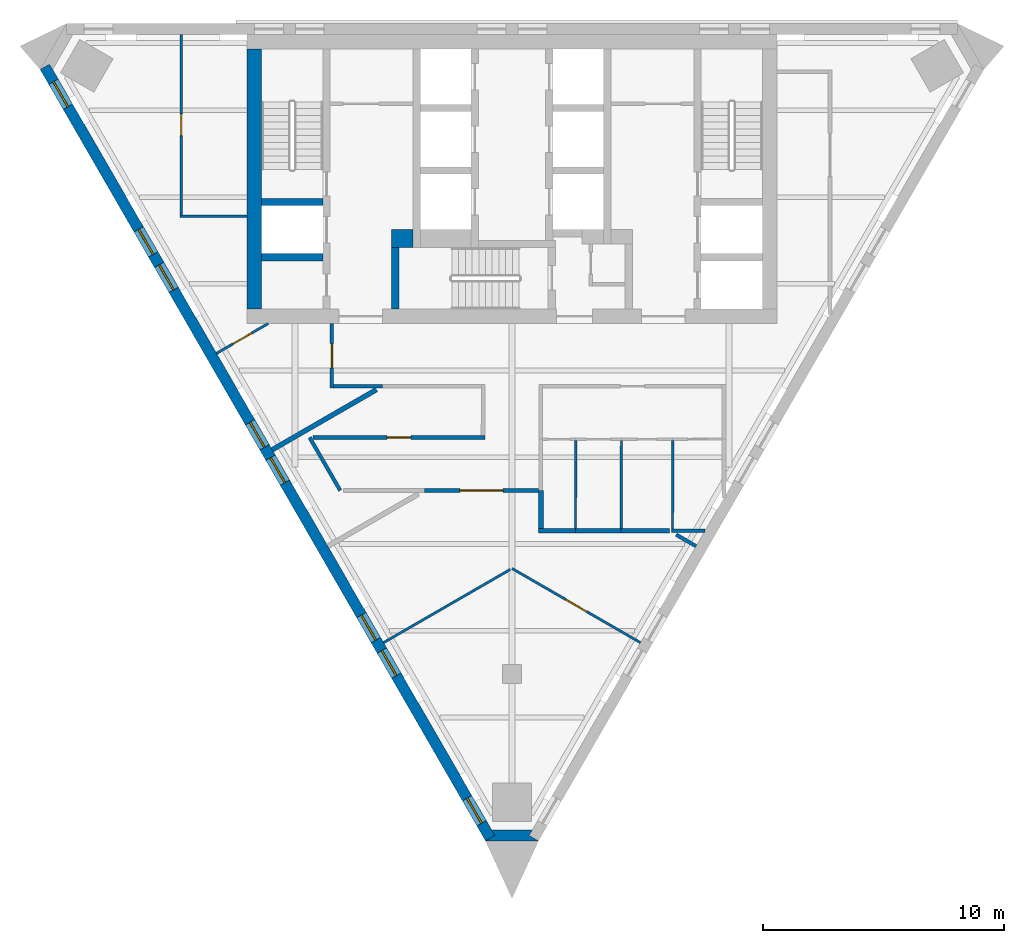
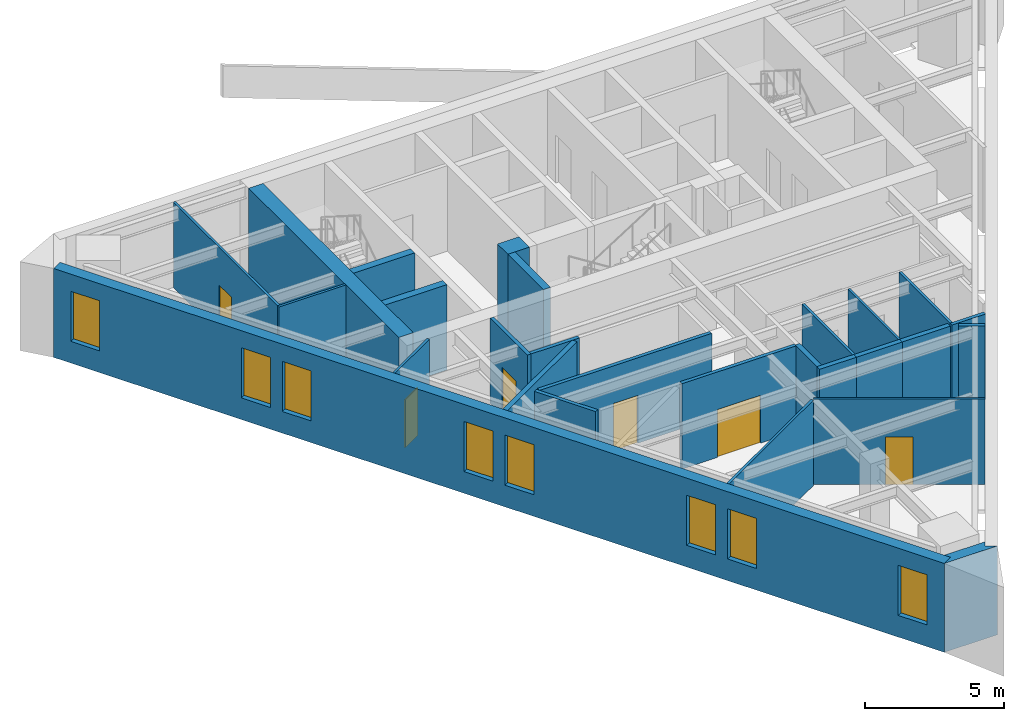
# One storey, part 2 of 6: 27 walls, 8 windows, 6 doors, 14 openings.
"""IFC4 building model written with IfcOpenShell, lengths in metres."""

from ifc_helpers import new_model, si_unit, direction, frame, frame_2d, origin, place, context, subcontext, project, spatial, polyline, rectangle, outline, extrude, material, layer, layer_set, type_object, element, fill, save


model = new_model("IFC4")

# Units and contexts
model_context = context("Model", 3, precision=1e-05, world=origin(), true_north=direction((0.0, 1.0)))
body_context = subcontext(model_context, "Body", "Model", "MODEL_VIEW")
ifc_project = project(units=[si_unit("LENGTHUNIT", "METRE"), si_unit("AREAUNIT", "SQUARE_METRE"), si_unit("VOLUMEUNIT", "CUBIC_METRE"), si_unit("PLANEANGLEUNIT", "RADIAN"), si_unit("MASSUNIT", "GRAM", prefix="KILO")], contexts=[model_context])

# Site, building, storey
site_placement = place(None, origin())
site = spatial("IfcSite", under=ifc_project, at=site_placement, CompositionType="ELEMENT")
building_placement = place(site_placement, origin())
building = spatial("IfcBuilding", under=site, at=building_placement, Name="Aloe Facet Convention Tower", CompositionType="ELEMENT")
storey_placement = place(building_placement, frame((0.0, 0.0, 242.60009765625)))
storey = spatial("IfcBuildingStorey", under=building, at=storey_placement, Name="L59", CompositionType="ELEMENT", Elevation=242.60009765625)

# Walls
ifc_material_1 = material(Name="Concrete C50/60", Category="concrete")
ifc_layer_1 = layer(ifc_material_1, 0.300048828125)
ifc_layer_set_1 = layer_set([ifc_layer_1], Name="CR-W-RC300-C5060")
wall_type_1 = type_object("IfcWallType", Name="CR-W-RC300-C5060", PredefinedType="SOLIDWALL", material=ifc_layer_set_1)
for number, where, z_axis, x_axis, name in (
    (1, (69.60009765625, 127.60009765625, 0.0), (0.0, 0.0, 1.0), (1.0, 0.0, 0.0), "Core wall L59-004"),
    (2, (69.60009765625, 125.300048828125, 0.0), (0.0, 0.0, 1.0), (1.0, 0.0, 0.0), "Core wall L59-005"),
):
    element("IfcWall", number, at=place(storey_placement, frame(where, z_axis=z_axis, x_axis=x_axis)), inside=storey, type_object=wall_type_1, Name=name, PredefinedType="SOLIDWALL", context=body_context, shape_type="SweptSolid", body=[
        extrude(rectangle(XDim=2.5498046875, YDim=0.300048828125, at=frame_2d((1.27490234375, 0.0))), origin(), (0.0, 0.0, 1.0), 3.75),
    ])
wall_1_placement = place(storey_placement, frame((75.14990234375, 125.699951171875, 0.0), z_axis=(0.0, 0.0, 1.0), x_axis=(0.0, -1.0, 0.0)))
element("IfcWall", 3, at=wall_1_placement, inside=storey, type_object=wall_type_1, Name="Core wall L59-009", PredefinedType="SOLIDWALL", context=body_context, shape_type="SweptSolid", body=[
    extrude(rectangle(XDim=2.550048828125, YDim=0.300048828125, at=frame_2d((1.27490234375, 0.0))), origin(), (0.0, 0.0, 1.0), 3.75),
])
ifc_material_2 = material(Name="Concrete C50/60", Category="concrete")
ifc_layer_2 = layer(ifc_material_2, 0.60009765625)
ifc_layer_set_2 = layer_set([ifc_layer_2], Name="CR-W-RC600-C5060")
wall_type_2 = type_object("IfcWallType", Name="CR-W-RC600-C5060", PredefinedType="SOLIDWALL", material=ifc_layer_set_2)
wall_2_placement = place(storey_placement, frame((69.300048828125, 133.949951171875, 0.0), z_axis=(0.0, 0.0, 1.0), x_axis=(0.0, -1.0, 0.0)))
element("IfcWall", 4, at=wall_2_placement, inside=storey, type_object=wall_type_2, Name="Core wall L59-002", PredefinedType="SOLIDWALL", context=body_context, shape_type="SweptSolid", body=[
    extrude(rectangle(XDim=10.800048828125, YDim=0.60009765625, at=frame_2d((5.39990234375, 0.0))), origin(), (0.0, 0.0, 1.0), 3.75),
])
ifc_material_3 = material(Name="Concrete C50/60", Category="concrete")
ifc_layer_3 = layer(ifc_material_3, 0.75)
ifc_layer_set_3 = layer_set([ifc_layer_3], Name="CR-W-RC750-C5060")
wall_type_3 = type_object("IfcWallType", Name="CR-W-RC750-C5060", PredefinedType="SOLIDWALL", material=ifc_layer_set_3)
wall_3_placement = place(storey_placement, frame((75.0, 126.074951171875, 0.0), z_axis=(0.0, 0.0, 1.0), x_axis=(1.0, 0.0, 0.0)))
element("IfcWall", 5, at=wall_3_placement, inside=storey, type_object=wall_type_3, Name="Core wall L59-008", PredefinedType="SOLIDWALL", context=body_context, shape_type="SweptSolid", body=[
    extrude(rectangle(XDim=0.89990234375, YDim=0.75, at=frame_2d((0.449951171875, 0.0))), origin(), (0.0, 0.0, 1.0), 3.75),
])
ifc_material_4 = material(Name="Precast concrete C40/50", Category="concrete")
ifc_layer_4 = layer(ifc_material_4, 0.449951171875)
ifc_layer_set_4 = layer_set([ifc_layer_4], Name="EV-WALL-PIER")
wall_type_4 = type_object("IfcWallType", Name="EV-WALL-PIER", PredefinedType="SOLIDWALL", material=ifc_layer_set_4)
wall_4_placement = place(storey_placement, frame((0.0, 0.0, -0.150146484375)))
element("IfcWall", 6, at=wall_4_placement, inside=storey, type_object=wall_type_4, Name="EP-L59-B", PredefinedType="SOLIDWALL", context=body_context, shape_type="SweptSolid", body=[
    extrude(outline(polyline([(78.89990234375, 101.07568359375), (79.289794921875, 101.30078125), (79.159912109375, 101.52587890625), (80.840087890625, 101.52587890625), (80.710205078125, 101.30078125), (81.10009765625, 101.07568359375), (78.89990234375, 101.07568359375)])), origin(), (0.0, 0.0, 1.0), 3.900146484375),
])

# Wall, openings, windows
ifc_material_5 = material(Name="Precast concrete C40/50", Category="concrete")
ifc_layer_5 = layer(ifc_material_5, 0.449951171875)
ifc_layer_set_5 = layer_set([ifc_layer_5], Name="EV-WALL-STONE")
wall_type_5 = type_object("IfcWallType", Name="EV-WALL-STONE", PredefinedType="SOLIDWALL", material=ifc_layer_set_5)
wall_5_placement = place(storey_placement, frame((60.608642578125, 133.207275390625, -0.150146484375), z_axis=(0.0, 0.0, 1.0), x_axis=(0.500002536638, -0.866023939251, 0.0)))
wall_5 = element("IfcWall", 7, at=wall_5_placement, inside=storey, type_object=wall_type_5, Name="EW-L59-W01", PredefinedType="SOLIDWALL", context=body_context, shape_type="SweptSolid", body=[
    extrude(outline(polyline([(36.972412109375, 0.0), (36.972412109375, 3.900146484375), (0.0, 3.900146484375), (0.0, 0.0), (36.972412109375, 0.0)])), frame((0.0, 0.22509765625, 0.0), z_axis=(0.0, -1.0, 0.0), x_axis=(1.0, 0.0, 0.0)), (0.0, 0.0, 1.0), 0.449951171875),
])
opening_1_placement = place(wall_5_placement, frame((0.714599609375, 0.0, 0.949951171875)))
opening_1 = element("IfcOpeningElement", 8, at=opening_1_placement, cuts=wall_5, Name="Opening W-L59-W01", PredefinedType="OPENING", context=body_context, shape_type="SweptSolid", body=[
    extrude(rectangle(XDim=1.199951171875, YDim=2.199951171875, at=frame_2d((0.60009765625, 1.10009765625))), frame((0.0, 0.23486328125, 0.0), z_axis=(0.0, -1.0, 0.0), x_axis=(1.0, 0.0, 0.0)), (0.0, 0.0, 1.0), 0.469970703125),
])
opening_2_placement = place(wall_5_placement, frame((7.79296875, 0.0, 0.949951171875)))
opening_2 = element("IfcOpeningElement", 9, at=opening_2_placement, cuts=wall_5, Name="Opening W-L59-W02", PredefinedType="OPENING", context=body_context, shape_type="SweptSolid", body=[
    extrude(rectangle(XDim=1.199951171875, YDim=2.199951171875, at=frame_2d((0.60009765625, 1.10009765625))), frame((0.0, 0.23486328125, 0.0), z_axis=(0.0, -1.0, 0.0), x_axis=(1.0, 0.0, 0.0)), (0.0, 0.0, 1.0), 0.469970703125),
])
opening_3_placement = place(wall_5_placement, frame((9.4931640625, 0.0, 0.949951171875)))
opening_3 = element("IfcOpeningElement", 10, at=opening_3_placement, cuts=wall_5, Name="Opening W-L59-W03", PredefinedType="OPENING", context=body_context, shape_type="SweptSolid", body=[
    extrude(rectangle(XDim=1.199951171875, YDim=2.199951171875, at=frame_2d((0.60009765625, 1.10009765625))), frame((0.0, 0.23486328125, 0.0), z_axis=(0.0, -1.0, 0.0), x_axis=(1.0, 0.0, 0.0)), (0.0, 0.0, 1.0), 0.469970703125),
])
opening_4_placement = place(wall_5_placement, frame((17.0361328125, 0.0, 0.949951171875)))
opening_4 = element("IfcOpeningElement", 11, at=opening_4_placement, cuts=wall_5, Name="Opening W-L59-W04", PredefinedType="OPENING", context=body_context, shape_type="SweptSolid", body=[
    extrude(rectangle(XDim=1.199951171875, YDim=2.199951171875, at=frame_2d((0.60009765625, 1.10009765625))), frame((0.0, 0.23486328125, 0.0), z_axis=(0.0, -1.0, 0.0), x_axis=(1.0, 0.0, 0.0)), (0.0, 0.0, 1.0), 0.469970703125),
])
opening_5_placement = place(wall_5_placement, frame((18.736083984375, 0.0, 0.949951171875)))
opening_5 = element("IfcOpeningElement", 12, at=opening_5_placement, cuts=wall_5, Name="Opening W-L59-W05", PredefinedType="OPENING", context=body_context, shape_type="SweptSolid", body=[
    extrude(rectangle(XDim=1.199951171875, YDim=2.199951171875, at=frame_2d((0.60009765625, 1.10009765625))), frame((0.0, 0.23486328125, 0.0), z_axis=(0.0, -1.0, 0.0), x_axis=(1.0, 0.0, 0.0)), (0.0, 0.0, 1.0), 0.469970703125),
])
opening_6_placement = place(wall_5_placement, frame((26.279296875, 0.0, 0.949951171875)))
opening_6 = element("IfcOpeningElement", 13, at=opening_6_placement, cuts=wall_5, Name="Opening W-L59-W06", PredefinedType="OPENING", context=body_context, shape_type="SweptSolid", body=[
    extrude(rectangle(XDim=1.199951171875, YDim=2.199951171875, at=frame_2d((0.60009765625, 1.10009765625))), frame((0.0, 0.23486328125, 0.0), z_axis=(0.0, -1.0, 0.0), x_axis=(1.0, 0.0, 0.0)), (0.0, 0.0, 1.0), 0.469970703125),
])
opening_7_placement = place(wall_5_placement, frame((27.979248046875, 0.0, 0.949951171875)))
opening_7 = element("IfcOpeningElement", 14, at=opening_7_placement, cuts=wall_5, Name="Opening W-L59-W07", PredefinedType="OPENING", context=body_context, shape_type="SweptSolid", body=[
    extrude(rectangle(XDim=1.199951171875, YDim=2.199951171875, at=frame_2d((0.60009765625, 1.10009765625))), frame((0.0, 0.23486328125, 0.0), z_axis=(0.0, -1.0, 0.0), x_axis=(1.0, 0.0, 0.0)), (0.0, 0.0, 1.0), 0.469970703125),
])
opening_8_placement = place(wall_5_placement, frame((35.0576171875, 0.0, 0.949951171875)))
opening_8 = element("IfcOpeningElement", 15, at=opening_8_placement, cuts=wall_5, Name="Opening W-L59-W08", PredefinedType="OPENING", context=body_context, shape_type="SweptSolid", body=[
    extrude(rectangle(XDim=1.199951171875, YDim=2.199951171875, at=frame_2d((0.60009765625, 1.10009765625))), frame((0.0, 0.23486328125, 0.0), z_axis=(0.0, -1.0, 0.0), x_axis=(1.0, 0.0, 0.0)), (0.0, 0.0, 1.0), 0.469970703125),
])
ifc_material_6 = material(Name="Aluminium frame, clear double glazing", Category="aluminium")
window_type = type_object("IfcWindowType", Name="EV-WIN-O12", PartitioningType="SINGLE_PANEL", PredefinedType="WINDOW", material=ifc_material_6)
window_1_placement = place(opening_1_placement, origin())
window_1 = element("IfcWindow", 16, at=window_1_placement, inside=storey, type_object=window_type, Name="W-L59-W01", OverallHeight=2.199951171875, OverallWidth=1.199951171875, PartitioningType="SINGLE_PANEL", PredefinedType="WINDOW", context=body_context, shape_type="SweptSolid", body=[
    extrude(rectangle(XDim=1.199951171875, YDim=2.199951171875, at=frame_2d((0.60009765625, 1.10009765625))), frame((0.0, 0.030029296875, 0.0), z_axis=(0.0, -1.0, 0.0), x_axis=(1.0, 0.0, 0.0)), (0.0, 0.0, 1.0), 0.06005859375),
])
fill(opening_1, window_1)
window_2_placement = place(opening_2_placement, origin())
window_2 = element("IfcWindow", 17, at=window_2_placement, inside=storey, type_object=window_type, Name="W-L59-W02", OverallHeight=2.199951171875, OverallWidth=1.199951171875, PartitioningType="SINGLE_PANEL", PredefinedType="WINDOW", context=body_context, shape_type="SweptSolid", body=[
    extrude(rectangle(XDim=1.199951171875, YDim=2.199951171875, at=frame_2d((0.60009765625, 1.10009765625))), frame((0.0, 0.030029296875, 0.0), z_axis=(0.0, -1.0, 0.0), x_axis=(1.0, 0.0, 0.0)), (0.0, 0.0, 1.0), 0.06005859375),
])
fill(opening_2, window_2)
window_3_placement = place(opening_3_placement, origin())
window_3 = element("IfcWindow", 18, at=window_3_placement, inside=storey, type_object=window_type, Name="W-L59-W03", OverallHeight=2.199951171875, OverallWidth=1.199951171875, PartitioningType="SINGLE_PANEL", PredefinedType="WINDOW", context=body_context, shape_type="SweptSolid", body=[
    extrude(rectangle(XDim=1.199951171875, YDim=2.199951171875, at=frame_2d((0.60009765625, 1.10009765625))), frame((0.0, 0.030029296875, 0.0), z_axis=(0.0, -1.0, 0.0), x_axis=(1.0, 0.0, 0.0)), (0.0, 0.0, 1.0), 0.06005859375),
])
fill(opening_3, window_3)
window_4_placement = place(opening_4_placement, origin())
window_4 = element("IfcWindow", 19, at=window_4_placement, inside=storey, type_object=window_type, Name="W-L59-W04", OverallHeight=2.199951171875, OverallWidth=1.199951171875, PartitioningType="SINGLE_PANEL", PredefinedType="WINDOW", context=body_context, shape_type="SweptSolid", body=[
    extrude(rectangle(XDim=1.199951171875, YDim=2.199951171875, at=frame_2d((0.60009765625, 1.10009765625))), frame((0.0, 0.030029296875, 0.0), z_axis=(0.0, -1.0, 0.0), x_axis=(1.0, 0.0, 0.0)), (0.0, 0.0, 1.0), 0.06005859375),
])
fill(opening_4, window_4)
window_5_placement = place(opening_5_placement, origin())
window_5 = element("IfcWindow", 20, at=window_5_placement, inside=storey, type_object=window_type, Name="W-L59-W05", OverallHeight=2.199951171875, OverallWidth=1.199951171875, PartitioningType="SINGLE_PANEL", PredefinedType="WINDOW", context=body_context, shape_type="SweptSolid", body=[
    extrude(rectangle(XDim=1.199951171875, YDim=2.199951171875, at=frame_2d((0.60009765625, 1.10009765625))), frame((0.0, 0.030029296875, 0.0), z_axis=(0.0, -1.0, 0.0), x_axis=(1.0, 0.0, 0.0)), (0.0, 0.0, 1.0), 0.06005859375),
])
fill(opening_5, window_5)
window_6_placement = place(opening_6_placement, origin())
window_6 = element("IfcWindow", 21, at=window_6_placement, inside=storey, type_object=window_type, Name="W-L59-W06", OverallHeight=2.199951171875, OverallWidth=1.199951171875, PartitioningType="SINGLE_PANEL", PredefinedType="WINDOW", context=body_context, shape_type="SweptSolid", body=[
    extrude(rectangle(XDim=1.199951171875, YDim=2.199951171875, at=frame_2d((0.60009765625, 1.10009765625))), frame((0.0, 0.030029296875, 0.0), z_axis=(0.0, -1.0, 0.0), x_axis=(1.0, 0.0, 0.0)), (0.0, 0.0, 1.0), 0.06005859375),
])
fill(opening_6, window_6)
window_7_placement = place(opening_7_placement, origin())
window_7 = element("IfcWindow", 22, at=window_7_placement, inside=storey, type_object=window_type, Name="W-L59-W07", OverallHeight=2.199951171875, OverallWidth=1.199951171875, PartitioningType="SINGLE_PANEL", PredefinedType="WINDOW", context=body_context, shape_type="SweptSolid", body=[
    extrude(rectangle(XDim=1.199951171875, YDim=2.199951171875, at=frame_2d((0.60009765625, 1.10009765625))), frame((0.0, 0.030029296875, 0.0), z_axis=(0.0, -1.0, 0.0), x_axis=(1.0, 0.0, 0.0)), (0.0, 0.0, 1.0), 0.06005859375),
])
fill(opening_7, window_7)
window_8_placement = place(opening_8_placement, origin())
window_8 = element("IfcWindow", 23, at=window_8_placement, inside=storey, type_object=window_type, Name="W-L59-W08", OverallHeight=2.199951171875, OverallWidth=1.199951171875, PartitioningType="SINGLE_PANEL", PredefinedType="WINDOW", context=body_context, shape_type="SweptSolid", body=[
    extrude(rectangle(XDim=1.199951171875, YDim=2.199951171875, at=frame_2d((0.60009765625, 1.10009765625))), frame((0.0, 0.030029296875, 0.0), z_axis=(0.0, -1.0, 0.0), x_axis=(1.0, 0.0, 0.0)), (0.0, 0.0, 1.0), 0.06005859375),
])
fill(opening_8, window_8)

# Walls
ifc_material_7 = material(Name="Gypsum board partition on steel studs", Category="steel")
ifc_layer_6 = layer(ifc_material_7, 0.14990234375)
ifc_layer_set_6 = layer_set([ifc_layer_6], Name="IN-W-CORR")
wall_type_6 = type_object("IfcWallType", Name="IN-W-CORR", PredefinedType="PARTITIONING", material=ifc_layer_set_6)
wall_6_placement = place(storey_placement, frame((86.816162109375, 113.78515625, 0.0), z_axis=(0.0, 0.0, 1.0), x_axis=(0.865951249342, -0.500128417272, 0.0)))
element("IfcWall", 24, at=wall_6_placement, inside=storey, type_object=wall_type_6, Name="Partition L59-W007", PredefinedType="PARTITIONING", context=body_context, shape_type="SweptSolid", body=[
    extrude(rectangle(XDim=0.954345703125, YDim=0.14990234375, at=frame_2d((0.47705078125, 0.0))), origin(), (0.0, 0.0, 1.0), 3.75),
])
wall_7_placement = place(storey_placement, frame((86.612060546875, 113.949951171875, 0.0), z_axis=(0.0, 0.0, 1.0), x_axis=(1.0, 0.0, 0.0)))
element("IfcWall", 25, at=wall_7_placement, inside=storey, type_object=wall_type_6, Name="Partition L59-W009", PredefinedType="PARTITIONING", context=body_context, shape_type="SweptSolid", body=[
    extrude(rectangle(XDim=1.400146484375, YDim=0.14990234375, at=frame_2d((0.7001953125, 0.0))), origin(), (0.0, 0.0, 1.0), 3.75),
])
wall_8_placement = place(storey_placement, frame((71.599609375, 117.8203125, 0.0), z_axis=(0.0, 0.0, 1.0), x_axis=(0.500035802948, -0.866004731956, 0.0)))
element("IfcWall", 26, at=wall_8_placement, inside=storey, type_object=wall_type_6, Name="Partition L59-W011", PredefinedType="PARTITIONING", context=body_context, shape_type="SweptSolid", body=[
    extrude(rectangle(XDim=2.540283203125, YDim=0.14990234375, at=frame_2d((1.27001953125, 0.0))), origin(), (0.0, 0.0, 1.0), 3.75),
])

# Wall, opening, door
wall_9_placement = place(storey_placement, frame((76.36279296875, 115.620361328125, 0.0), z_axis=(0.0, 0.0, 1.0), x_axis=(1.0, 0.0, 0.0)))
wall_9 = element("IfcWall", 27, at=wall_9_placement, inside=storey, type_object=wall_type_6, Name="Partition L59-W012", PredefinedType="PARTITIONING", context=body_context, shape_type="SweptSolid", body=[
    extrude(rectangle(XDim=4.7373046875, YDim=0.14990234375, at=frame_2d((2.36865234375, 0.0))), origin(), (0.0, 0.0, 1.0), 3.75),
])
opening_9_placement = place(wall_9_placement, frame((1.46875, 0.0, 0.0)))
opening_9 = element("IfcOpeningElement", 28, at=opening_9_placement, cuts=wall_9, Name="Opening L59-012", PredefinedType="OPENING", context=body_context, shape_type="SweptSolid", body=[
    extrude(rectangle(XDim=1.800048828125, YDim=2.10009765625, at=frame_2d((0.89990234375, 1.050048828125))), frame((0.0, 0.0849609375, 0.0), z_axis=(0.0, -1.0, 0.0), x_axis=(1.0, 0.0, 0.0)), (0.0, 0.0, 1.0), 0.169921875),
])
ifc_material_8 = material(Name="Glazed timber door pair FD30S", Category="wood")
door_type_1 = type_object("IfcDoorType", Name="IN-OFF-D-SUITE", OperationType="DOUBLE_DOOR_SINGLE_SWING", PredefinedType="DOOR", material=ifc_material_8)
door_1_placement = place(opening_9_placement, origin())
door_1 = element("IfcDoor", 29, at=door_1_placement, inside=storey, type_object=door_type_1, Name="Door L59-012", OperationType="SINGLE_SWING_LEFT", OverallHeight=2.10009765625, OverallWidth=1.800048828125, PredefinedType="DOOR", context=body_context, shape_type="SweptSolid", body=[
    extrude(rectangle(XDim=1.800048828125, YDim=2.10009765625, at=frame_2d((0.89990234375, 1.050048828125))), frame((0.0, 0.02490234375, 0.0), z_axis=(0.0, -1.0, 0.0), x_axis=(1.0, 0.0, 0.0)), (0.0, 0.0, 1.0), 0.050048828125),
])
fill(opening_9, door_1)

wall_10_placement = place(storey_placement, frame((71.7294921875, 117.8203125, 0.0), z_axis=(0.0, 0.0, 1.0), x_axis=(1.0, 0.0, 0.0)))
wall_10 = element("IfcWall", 30, at=wall_10_placement, inside=storey, type_object=wall_type_6, Name="Partition L59-W025", PredefinedType="PARTITIONING", context=body_context, shape_type="SweptSolid", body=[
    extrude(rectangle(XDim=7.1435546875, YDim=0.14990234375, at=frame_2d((3.57177734375, 0.0))), origin(), (0.0, 0.0, 1.0), 3.75),
])
opening_10_placement = place(wall_10_placement, frame((3.07177734375, 0.0, 0.0)))
opening_10 = element("IfcOpeningElement", 31, at=opening_10_placement, cuts=wall_10, Name="Opening L59-009", PredefinedType="OPENING", context=body_context, shape_type="SweptSolid", body=[
    extrude(rectangle(XDim=1.0, YDim=2.10009765625, at=frame_2d((0.5, 1.050048828125))), frame((0.0, 0.0849609375, 0.0), z_axis=(0.0, -1.0, 0.0), x_axis=(1.0, 0.0, 0.0)), (0.0, 0.0, 1.0), 0.169921875),
])
ifc_material_9 = material(Name="Timber door FD30S with vision panel", Category="wood")
door_type_2 = type_object("IfcDoorType", Name="IN-OFF-D-ENTRY", OperationType="SINGLE_SWING_LEFT", PredefinedType="DOOR", material=ifc_material_9)
door_2_placement = place(opening_10_placement, origin())
door_2 = element("IfcDoor", 32, at=door_2_placement, inside=storey, type_object=door_type_2, Name="Door L59-009", OperationType="SINGLE_SWING_LEFT", OverallHeight=2.10009765625, OverallWidth=1.0, PredefinedType="DOOR", context=body_context, shape_type="SweptSolid", body=[
    extrude(rectangle(XDim=1.0, YDim=2.10009765625, at=frame_2d((0.5, 1.050048828125))), frame((0.0, 0.02490234375, 0.0), z_axis=(0.0, -1.0, 0.0), x_axis=(1.0, 0.0, 0.0)), (0.0, 0.0, 1.0), 0.050048828125),
])
fill(opening_10, door_2)

wall_11_placement = place(storey_placement, frame((72.52490234375, 119.875, 0.0), z_axis=(0.0, 0.0, 1.0), x_axis=(0.0, 1.0, 0.0)))
wall_11 = element("IfcWall", 33, at=wall_11_placement, inside=storey, type_object=wall_type_6, Name="Partition L59-W028", PredefinedType="PARTITIONING", context=body_context, shape_type="SweptSolid", body=[
    extrude(rectangle(XDim=2.6748046875, YDim=0.14990234375, at=frame_2d((1.33740234375, 0.0))), origin(), (0.0, 0.0, 1.0), 3.75),
])
opening_11_placement = place(wall_11_placement, frame((0.83740234375, 0.0, 0.0)))
opening_11 = element("IfcOpeningElement", 34, at=opening_11_placement, cuts=wall_11, Name="Opening L59-008", PredefinedType="OPENING", context=body_context, shape_type="SweptSolid", body=[
    extrude(rectangle(XDim=1.0, YDim=2.10009765625, at=frame_2d((0.5, 1.050048828125))), frame((0.0, 0.0849609375, 0.0), z_axis=(0.0, -1.0, 0.0), x_axis=(1.0, 0.0, 0.0)), (0.0, 0.0, 1.0), 0.169921875),
])
door_3_placement = place(opening_11_placement, origin())
door_3 = element("IfcDoor", 35, at=door_3_placement, inside=storey, type_object=door_type_2, Name="Door L59-008", OperationType="SINGLE_SWING_LEFT", OverallHeight=2.10009765625, OverallWidth=1.0, PredefinedType="DOOR", context=body_context, shape_type="SweptSolid", body=[
    extrude(rectangle(XDim=1.0, YDim=2.10009765625, at=frame_2d((0.5, 1.050048828125))), frame((0.0, 0.02490234375, 0.0), z_axis=(0.0, -1.0, 0.0), x_axis=(1.0, 0.0, 0.0)), (0.0, 0.0, 1.0), 0.050048828125),
])
fill(opening_11, door_3)

# Wall
wall_12_placement = place(storey_placement, frame((72.60009765625, 119.949951171875, 0.0), z_axis=(0.0, 0.0, 1.0), x_axis=(1.0, 0.0, 0.0)))
element("IfcWall", 36, at=wall_12_placement, inside=storey, type_object=wall_type_6, Name="Partition L59-W029", PredefinedType="PARTITIONING", context=body_context, shape_type="SweptSolid", body=[
    extrude(rectangle(XDim=2.0185546875, YDim=0.14990234375, at=frame_2d((1.00927734375, 0.0))), origin(), (0.0, 0.0, 1.0), 3.75),
])

# Wall, opening, door
ifc_material_10 = material(Name="Gypsum board partition on steel studs", Category="steel")
ifc_layer_7 = layer(ifc_material_10, 0.10009765625)
ifc_layer_set_7 = layer_set([ifc_layer_7], Name="IN-W-PART")
wall_type_7 = type_object("IfcWallType", Name="IN-W-PART", PredefinedType="PARTITIONING", material=ifc_layer_set_7)
wall_13_placement = place(storey_placement, frame((80.0, 112.3837890625, 0.0), z_axis=(0.0, 0.0, 1.0), x_axis=(0.866021154418, -0.500007360046, 0.0)))
wall_13 = element("IfcWall", 37, at=wall_13_placement, inside=storey, type_object=wall_type_7, Name="Partition L59-W001", PredefinedType="PARTITIONING", context=body_context, shape_type="SweptSolid", body=[
    extrude(rectangle(XDim=6.15673828125, YDim=0.10009765625, at=frame_2d((3.078369140625, 0.0))), origin(), (0.0, 0.0, 1.0), 3.75),
])
opening_12_placement = place(wall_13_placement, frame((2.578369140625, 0.0, 0.0)))
opening_12 = element("IfcOpeningElement", 38, at=opening_12_placement, cuts=wall_13, Name="Opening L59-011", PredefinedType="OPENING", context=body_context, shape_type="SweptSolid", body=[
    extrude(rectangle(XDim=1.0, YDim=2.10009765625, at=frame_2d((0.5, 1.050048828125))), frame((0.0, 0.06005859375, 0.0), z_axis=(0.0, -1.0, 0.0), x_axis=(1.0, 0.0, 0.0)), (0.0, 0.0, 1.0), 0.1201171875),
])
ifc_material_11 = material(Name="Timber door", Category="wood")
door_type_3 = type_object("IfcDoorType", Name="IN-OFF-D-WIDE", OperationType="SINGLE_SWING_LEFT", PredefinedType="DOOR", material=ifc_material_11)
door_4_placement = place(opening_12_placement, origin())
door_4 = element("IfcDoor", 39, at=door_4_placement, inside=storey, type_object=door_type_3, Name="Door L59-011", OperationType="SINGLE_SWING_LEFT", OverallHeight=2.10009765625, OverallWidth=1.0, PredefinedType="DOOR", context=body_context, shape_type="SweptSolid", body=[
    extrude(rectangle(XDim=1.0, YDim=2.10009765625, at=frame_2d((0.5, 1.050048828125))), frame((0.0, 0.02490234375, 0.0), z_axis=(0.0, -1.0, 0.0), x_axis=(1.0, 0.0, 0.0)), (0.0, 0.0, 1.0), 0.050048828125),
])
fill(opening_12, door_4)

# Walls
wall_14_placement = place(storey_placement, frame((74.668212890625, 109.305419921875, 0.0), z_axis=(0.0, 0.0, 1.0), x_axis=(0.866016800201, 0.500014901547, 0.0)))
element("IfcWall", 40, at=wall_14_placement, inside=storey, type_object=wall_type_7, Name="Partition L59-W002", PredefinedType="PARTITIONING", context=body_context, shape_type="SweptSolid", body=[
    extrude(rectangle(XDim=6.070068359375, YDim=0.10009765625, at=frame_2d((3.03515625, 0.0))), origin(), (0.0, 0.0, 1.0), 3.75),
])
for number, where, z_axis, x_axis, name in (
    (41, (82.63427734375, 114.050048828125, 0.0), (0.0, 0.0, 1.0), (0.002608686776, 0.999996597371, 0.0), "Partition L59-W017"),
    (42, (84.5341796875, 114.050048828125, 0.0), (0.0, 0.0, 1.0), (0.002675575707, 0.999996420641, 0.0), "Partition L59-W019"),
):
    element("IfcWall", number, at=place(storey_placement, frame(where, z_axis=z_axis, x_axis=x_axis)), inside=storey, type_object=wall_type_7, Name=name, PredefinedType="PARTITIONING", context=body_context, shape_type="SweptSolid", body=[
        extrude(rectangle(XDim=3.64990234375, YDim=0.10009765625, at=frame_2d((1.824951171875, 0.0))), origin(), (0.0, 0.0, 1.0), 3.75),
    ])
wall_15_placement = place(storey_placement, frame((86.662109375, 114.02490234375, 0.0), z_axis=(0.0, 0.0, 1.0), x_axis=(0.002657268237, 0.999996469457, 0.0)))
element("IfcWall", 43, at=wall_15_placement, inside=storey, type_object=wall_type_7, Name="Partition L59-W021", PredefinedType="PARTITIONING", context=body_context, shape_type="SweptSolid", body=[
    extrude(rectangle(XDim=3.675048828125, YDim=0.10009765625, at=frame_2d((1.83740234375, 0.0))), origin(), (0.0, 0.0, 1.0), 3.75),
])

# Wall, opening, door
wall_16_placement = place(storey_placement, frame((67.73583984375, 121.312744140625, 0.0), z_axis=(0.0, 0.0, 1.0), x_axis=(0.866024577697, 0.500001430823, 0.0)))
wall_16 = element("IfcWall", 44, at=wall_16_placement, inside=storey, type_object=wall_type_7, Name="Partition L59-W032", PredefinedType="PARTITIONING", context=body_context, shape_type="SweptSolid", body=[
    extrude(rectangle(XDim=2.474609375, YDim=0.10009765625, at=frame_2d((1.2373046875, 0.0))), origin(), (0.0, 0.0, 1.0), 3.75),
])
opening_13_placement = place(wall_16_placement, frame((0.787353515625, 0.0, 0.0)))
opening_13 = element("IfcOpeningElement", 45, at=opening_13_placement, cuts=wall_16, Name="Opening L59-007", PredefinedType="OPENING", context=body_context, shape_type="SweptSolid", body=[
    extrude(rectangle(XDim=0.89990234375, YDim=2.10009765625, at=frame_2d((0.449951171875, 1.050048828125))), frame((0.0, 0.06005859375, 0.0), z_axis=(0.0, -1.0, 0.0), x_axis=(1.0, 0.0, 0.0)), (0.0, 0.0, 1.0), 0.1201171875),
])
ifc_material_12 = material(Name="Timber door", Category="wood")
door_type_4 = type_object("IfcDoorType", Name="IN-OFF-D-ROOM", OperationType="SINGLE_SWING_LEFT", PredefinedType="DOOR", material=ifc_material_12)
door_5_placement = place(opening_13_placement, origin())
door_5 = element("IfcDoor", 46, at=door_5_placement, inside=storey, type_object=door_type_4, Name="Door L59-007", OperationType="SINGLE_SWING_LEFT", OverallHeight=2.10009765625, OverallWidth=0.89990234375, PredefinedType="DOOR", context=body_context, shape_type="SweptSolid", body=[
    extrude(rectangle(XDim=0.89990234375, YDim=2.10009765625, at=frame_2d((0.449951171875, 1.050048828125))), frame((0.0, 0.02490234375, 0.0), z_axis=(0.0, -1.0, 0.0), x_axis=(1.0, 0.0, 0.0)), (0.0, 0.0, 1.0), 0.050048828125),
])
fill(opening_13, door_5)

# Wall
wall_17_placement = place(storey_placement, frame((66.224365234375, 127.0, 0.0), z_axis=(0.0, 0.0, 1.0), x_axis=(1.0, 0.0, 0.0)))
element("IfcWall", 47, at=wall_17_placement, inside=storey, type_object=wall_type_7, Name="Partition L59-W034", PredefinedType="PARTITIONING", context=body_context, shape_type="SweptSolid", body=[
    extrude(rectangle(XDim=2.775634765625, YDim=0.10009765625, at=frame_2d((1.3876953125, 0.0))), origin(), (0.0, 0.0, 1.0), 3.75),
])

# Wall, opening, door
wall_18_placement = place(storey_placement, frame((66.2744140625, 127.050048828125, 0.0), z_axis=(0.0, 0.0, 1.0), x_axis=(-0.000292978274, 0.999999957082, 0.0)))
wall_18 = element("IfcWall", 48, at=wall_18_placement, inside=storey, type_object=wall_type_7, Name="Partition L59-W036", PredefinedType="PARTITIONING", context=body_context, shape_type="SweptSolid", body=[
    extrude(rectangle(XDim=7.499755859375, YDim=0.10009765625, at=frame_2d((3.75, 0.0))), origin(), (0.0, 0.0, 1.0), 3.75),
])
opening_14_placement = place(wall_18_placement, frame((3.300048828125, 0.0, 0.0)))
opening_14 = element("IfcOpeningElement", 49, at=opening_14_placement, cuts=wall_18, Name="Opening L59-006", PredefinedType="OPENING", context=body_context, shape_type="SweptSolid", body=[
    extrude(rectangle(XDim=0.89990234375, YDim=2.10009765625, at=frame_2d((0.449951171875, 1.050048828125))), frame((0.0, 0.06005859375, 0.0), z_axis=(0.0, -1.0, 0.0), x_axis=(1.0, 0.0, 0.0)), (0.0, 0.0, 1.0), 0.1201171875),
])
door_6_placement = place(opening_14_placement, origin())
door_6 = element("IfcDoor", 50, at=door_6_placement, inside=storey, type_object=door_type_4, Name="Door L59-006", OperationType="SINGLE_SWING_LEFT", OverallHeight=2.10009765625, OverallWidth=0.89990234375, PredefinedType="DOOR", context=body_context, shape_type="SweptSolid", body=[
    extrude(rectangle(XDim=0.89990234375, YDim=2.10009765625, at=frame_2d((0.449951171875, 1.050048828125))), frame((0.0, 0.02490234375, 0.0), z_axis=(0.0, -1.0, 0.0), x_axis=(1.0, 0.0, 0.0)), (0.0, 0.0, 1.0), 0.050048828125),
])
fill(opening_14, door_6)

# Walls
ifc_material_13 = material(Name="Gypsum board partition on steel studs", Category="steel")
ifc_layer_8 = layer(ifc_material_13, 0.199951171875)
ifc_layer_set_8 = layer_set([ifc_layer_8], Name="IN-W-PARTY")
wall_type_8 = type_object("IfcWallType", Name="IN-W-PARTY", PredefinedType="PARTITIONING", material=ifc_layer_set_8)
wall_19_placement = place(storey_placement, frame((81.10009765625, 113.949951171875, 0.0), z_axis=(0.0, 0.0, 1.0), x_axis=(1.0, 0.0, 0.0)))
element("IfcWall", 51, at=wall_19_placement, inside=storey, type_object=wall_type_8, Name="Partition L59-W004", PredefinedType="PARTITIONING", context=body_context, shape_type="SweptSolid", body=[
    extrude(rectangle(XDim=1.533935546875, YDim=0.199951171875, at=frame_2d((0.76708984375, 0.0))), origin(), (0.0, 0.0, 1.0), 3.75),
])
wall_20_placement = place(storey_placement, frame((82.634033203125, 113.949951171875, 0.0), z_axis=(0.0, 0.0, 1.0), x_axis=(1.0, 0.0, 0.0)))
element("IfcWall", 52, at=wall_20_placement, inside=storey, type_object=wall_type_8, Name="Partition L59-W005", PredefinedType="PARTITIONING", context=body_context, shape_type="SweptSolid", body=[
    extrude(rectangle(XDim=1.89990234375, YDim=0.199951171875, at=frame_2d((0.949951171875, 0.0))), origin(), (0.0, 0.0, 1.0), 3.75),
])
wall_21_placement = place(storey_placement, frame((84.533935546875, 113.949951171875, 0.0), z_axis=(0.0, 0.0, 1.0), x_axis=(1.0, 0.0, 0.0)))
element("IfcWall", 53, at=wall_21_placement, inside=storey, type_object=wall_type_8, Name="Partition L59-W006", PredefinedType="PARTITIONING", context=body_context, shape_type="SweptSolid", body=[
    extrude(rectangle(XDim=1.99658203125, YDim=0.199951171875, at=frame_2d((0.998291015625, 0.0))), origin(), (0.0, 0.0, 1.0), 3.75),
])
wall_22_placement = place(storey_placement, frame((81.199951171875, 114.050048828125, 0.0), z_axis=(0.0, 0.0, 1.0), x_axis=(0.0, 1.0, 0.0)))
element("IfcWall", 54, at=wall_22_placement, inside=storey, type_object=wall_type_8, Name="Partition L59-W014", PredefinedType="PARTITIONING", context=body_context, shape_type="SweptSolid", body=[
    extrude(rectangle(XDim=1.5703125, YDim=0.199951171875, at=frame_2d((0.78515625, 0.0))), origin(), (0.0, 0.0, 1.0), 3.75),
])
wall_23_placement = place(storey_placement, frame((70.046630859375, 117.310302734375, 0.0), z_axis=(0.0, 0.0, 1.0), x_axis=(0.866032544947, 0.499987630939, 0.0)))
element("IfcWall", 55, at=wall_23_placement, inside=storey, type_object=wall_type_8, Name="Partition L59-W015", PredefinedType="PARTITIONING", context=body_context, shape_type="SweptSolid", body=[
    extrude(rectangle(XDim=4.994384765625, YDim=0.199951171875, at=frame_2d((2.4970703125, 0.0))), origin(), (0.0, 0.0, 1.0), 3.75),
])

save(model, "model.ifc")
